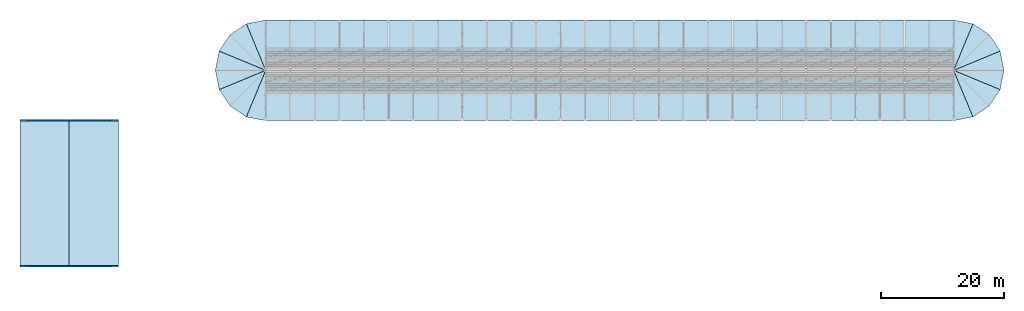
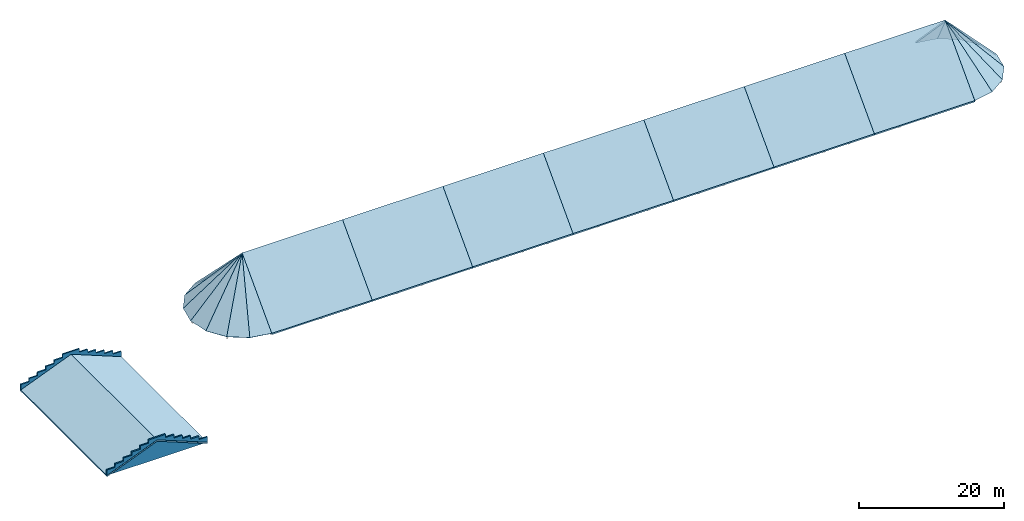
# One storey, part 18 of 18: 24 roofs, 2 walls.
"""IFC4 building model written with IfcOpenShell, lengths in metres."""

import ifcopenshell
import ifcopenshell.guid

model = None  # the IFC model being written
_history = None  # IfcOwnerHistory: only IFC2X3 demands one
_inside = {}  # id of a spatial element -> (the spatial element, [elements in it])
_under = {}  # id of a project, library or spatial element -> (it, [spatial elements below it])
_declared = {}  # id of a project -> (the project, [libraries it declares])
_typed = {}  # id of a type object -> (the type object, [elements of that type])
_made_of = {}  # id of a material, layer set ... -> (it, [elements and type objects made of it])


def new_model(schema):
    """Start an empty IFC model of exactly this schema.

    Asked for "IFC4X3", IfcOpenShell would pick the latest addendum, in which some entities
    have other attributes; the version numbers below select the first issue.
    IFC2X3 requires an IfcOwnerHistory on every rooted entity: one is made here for all.
    """
    global model, _history
    if schema == "IFC4X3":
        model = ifcopenshell.file(schema_version=(4, 3, 0, 0))
    else:
        model = ifcopenshell.file(schema=schema)
    _inside.clear()
    _under.clear()
    _declared.clear()
    _typed.clear()
    _made_of.clear()
    _history = None
    if model.schema == "IFC2X3":
        org = make("IfcOrganization", Name="unknown")
        user = make(
            "IfcPersonAndOrganization",
            ThePerson=make("IfcPerson", FamilyName="unknown"),
            TheOrganization=org,
        )
        app = make(
            "IfcApplication",
            ApplicationDeveloper=org,
            Version="unknown",
            ApplicationFullName="unknown",
            ApplicationIdentifier="unknown",
        )
        _history = make(
            "IfcOwnerHistory",
            OwningUser=user,
            OwningApplication=app,
            ChangeAction="ADDED",
            CreationDate=0,
        )
    return model


def make(cls, **values):
    """One entity of the class cls with the attributes given. An attribute that is None is left unset."""
    return model.create_entity(
        cls, **{name: value for name, value in values.items() if value is not None}
    )


def rooted(cls, **values):
    """An entity with a GlobalId (a new one), such as an element, a storey or a relation."""
    return make(cls, GlobalId=ifcopenshell.guid.new(), OwnerHistory=_history, **values)


def si_unit(unit_type, name, prefix=None):
    """IfcSIUnit, for example si_unit("LENGTHUNIT", "METRE", prefix="MILLI")."""
    return make("IfcSIUnit", UnitType=unit_type, Prefix=prefix, Name=name)


def assignment(units):
    """IfcUnitAssignment: the units of a project."""
    return None if units is None else make("IfcUnitAssignment", Units=units)


def point(xyz):
    """IfcCartesianPoint."""
    return None if xyz is None else make("IfcCartesianPoint", Coordinates=xyz)


def direction(xyz):
    """IfcDirection."""
    return None if xyz is None else make("IfcDirection", DirectionRatios=xyz)


def frame(location, z_axis=None, x_axis=None):
    """IfcAxis2Placement3D, a coordinate frame: its origin and axes. An axis left out is left unset."""
    return make(
        "IfcAxis2Placement3D",
        Location=point(location),
        Axis=direction(z_axis),
        RefDirection=direction(x_axis),
    )


def origin():
    """The frame at (0, 0, 0) with its axes left unset."""
    return frame((0.0, 0.0, 0.0))


def place(relative_to, where):
    """IfcLocalPlacement: puts the frame where relative to a parent placement (None: the world)."""
    return make(
        "IfcLocalPlacement", PlacementRelTo=relative_to, RelativePlacement=where
    )


def context(
    kind, dimensions, precision=None, world=None, true_north=None, identifier=None
):
    """IfcGeometricRepresentationContext, for example the 3D "Model" context."""
    return make(
        "IfcGeometricRepresentationContext",
        ContextIdentifier=identifier,
        ContextType=kind,
        CoordinateSpaceDimension=dimensions,
        Precision=precision,
        WorldCoordinateSystem=world,
        TrueNorth=true_north,
    )


def subcontext(parent, identifier, kind, view, scale=None):
    """IfcGeometricRepresentationSubContext, for example "Body" below "Model"."""
    return make(
        "IfcGeometricRepresentationSubContext",
        ContextIdentifier=identifier,
        ContextType=kind,
        ParentContext=parent,
        TargetScale=scale,
        TargetView=view,
    )


def project(units=None, contexts=None):
    """IfcProject with its units and contexts."""
    return rooted(
        "IfcProject",
        Name="project",
        RepresentationContexts=contexts,
        UnitsInContext=assignment(units),
    )


def spatial(cls, under=None, at=None, **own):
    """A site, building, storey or space (cls), placed at a placement, below another one or the project."""
    s = rooted(cls, ObjectPlacement=at, **own)
    if under is not None:
        _under.setdefault(under.id(), (under, []))[1].append(s)
    return s


def polyline(points):
    """IfcPolyline through the points."""
    return make("IfcPolyline", Points=[point(p) for p in points])


def outline(outer, holes=None, kind="AREA"):
    """IfcArbitraryClosedProfileDef: a profile drawn as a closed curve; with holes, ...WithVoids."""
    if holes is None:
        return make("IfcArbitraryClosedProfileDef", ProfileType=kind, OuterCurve=outer)
    return make(
        "IfcArbitraryProfileDefWithVoids",
        ProfileType=kind,
        OuterCurve=outer,
        InnerCurves=holes,
    )


def extrude(swept, where, along, depth):
    """IfcExtrudedAreaSolid: the profile swept, set in the frame where, extruded along a direction by depth."""
    return make(
        "IfcExtrudedAreaSolid",
        SweptArea=swept,
        Position=where,
        ExtrudedDirection=direction(along),
        Depth=depth,
    )


def shape(context_of_items, identifier, shape_type, items):
    """IfcShapeRepresentation: the items that make up one representation, for example the "Body"."""
    return make(
        "IfcShapeRepresentation",
        ContextOfItems=context_of_items,
        RepresentationIdentifier=identifier,
        RepresentationType=shape_type,
        Items=items,
    )


def material(Name=None, Category=None):
    """IfcMaterial."""
    return make("IfcMaterial", Name=Name, Category=Category)


def layer(
    of_material, thickness, ventilated=None, Name=None, Category=None, Priority=None
):
    """IfcMaterialLayer: one layer of a wall or slab, of a material (None: an air gap)."""
    return make(
        "IfcMaterialLayer",
        Material=of_material,
        LayerThickness=thickness,
        IsVentilated=ventilated,
        Name=Name,
        Category=Category,
        Priority=Priority,
    )


def layer_set(layers, Name=None):
    """IfcMaterialLayerSet."""
    return make("IfcMaterialLayerSet", MaterialLayers=layers, LayerSetName=Name)


def made_of(thing, what):
    """Note that an element or type object is made of a material, layer set ...; save() writes the relation."""
    if what is not None:
        _made_of.setdefault(what.id(), (what, []))[1].append(thing)
    return thing


def type_object(cls, material=None, **own):
    """A type object (cls), such as IfcWallType, which elements share."""
    return made_of(rooted(cls, **own), material)


def element(
    cls,
    number,
    at=None,
    inside=None,
    cuts=None,
    type_object=None,
    material=None,
    context=None,
    identifier="Body",
    shape_type=None,
    held_by="IfcProductDefinitionShape",
    body=None,
    shapes=None,
    **own,
):
    """One element of the class cls, such as IfcWall. Its Tag is "e" and its number.

    at: its placement. inside: the storey or other place that contains it. cuts: it is an
    opening in that element (IfcRelVoidsElement). A single representation is given by context,
    identifier, shape_type and body (its items); several are given by shapes. held_by: the class
    of the entity that holds the representations. save() writes the other relations.
    """
    e = rooted(cls, Tag="e%d" % number, ObjectPlacement=at, **own)
    if body is not None:
        shapes = [shape(context, identifier, shape_type, body)]
    if shapes is not None:
        e.Representation = make(held_by, Representations=shapes)
    if inside is not None:
        _inside.setdefault(inside.id(), (inside, []))[1].append(e)
    if cuts is not None:
        rooted(
            "IfcRelVoidsElement", RelatingBuildingElement=cuts, RelatedOpeningElement=e
        )
    if type_object is not None:
        _typed.setdefault(type_object.id(), (type_object, []))[1].append(e)
    return made_of(e, material)


def aggregate(whole, parts):
    """IfcRelAggregates: a whole, such as a stair, and the parts it consists of."""
    return rooted("IfcRelAggregates", RelatingObject=whole, RelatedObjects=parts)


def save(model, path):
    """Write the relations noted so far, then the file.

    IfcRelAggregates (storeys below a building ...), IfcRelContainedInSpatialStructure (elements
    in a storey), IfcRelDefinesByType, IfcRelAssociatesMaterial and IfcRelDeclares: one each for
    every whole, place, type object, material and project.
    """
    for whole, parts in _under.values():
        aggregate(whole, parts)
    for where, things in _inside.values():
        rooted(
            "IfcRelContainedInSpatialStructure",
            RelatedElements=things,
            RelatingStructure=where,
        )
    for kind, things in _typed.values():
        rooted("IfcRelDefinesByType", RelatedObjects=things, RelatingType=kind)
    for what, things in _made_of.values():
        rooted("IfcRelAssociatesMaterial", RelatedObjects=things, RelatingMaterial=what)
    for by, libraries in _declared.values():
        rooted("IfcRelDeclares", RelatingContext=by, RelatedDefinitions=libraries)
    model.write(path)


model = new_model("IFC4")

# Units and contexts
model_context = context("Model", 3, precision=1e-05, world=origin(), true_north=direction((0.0, 1.0)))
body_context = subcontext(model_context, "Body", "Model", "MODEL_VIEW")
ifc_project = project(units=[si_unit("LENGTHUNIT", "METRE"), si_unit("AREAUNIT", "SQUARE_METRE"), si_unit("VOLUMEUNIT", "CUBIC_METRE"), si_unit("PLANEANGLEUNIT", "RADIAN"), si_unit("MASSUNIT", "GRAM", prefix="KILO")], contexts=[model_context])

# Site, building, storey
site_placement = place(None, origin())
site = spatial("IfcSite", under=ifc_project, at=site_placement, CompositionType="ELEMENT")
building_placement = place(site_placement, origin())
building = spatial("IfcBuilding", under=site, at=building_placement, Name="Serraluz Foothill Cableway Terminal", CompositionType="ELEMENT")
storey_placement = place(building_placement, frame((0.0, 0.0, 24.300048828125)))
storey = spatial("IfcBuildingStorey", under=building, at=storey_placement, Name="RF", CompositionType="ELEMENT", Elevation=24.300048828125)

# Walls
ifc_material_1 = material(Name="Dark clinker clay masonry brick (f'm 14 MPa)", Category="masonry")
ifc_layer_1 = layer(ifc_material_1, 0.219970703125, Name="Dark clinker clay masonry brick (f'm 14 MPa)", Category="masonry")
ifc_layer_set_1 = layer_set([ifc_layer_1], Name="Dark clinker clay masonry brick (f'm 14 MPa)")
wall_type = type_object("IfcWallType", Name="TYP-WL-PAR-220", PredefinedType="PARAPET", material=ifc_layer_set_1)
for number, where, z_axis, x_axis, name in (
    (1, (16.0, 32.1201171875, 0.0), (0.0, 0.0, 1.0), (-1.0, 0.0, 0.0), "Stepped Brick Gable Crown WP-V5-GABLE-S"),
    (2, (0.0, 55.8798828125, 0.0), (0.0, 0.0, 1.0), (1.0, 0.0, 0.0), "Stepped Brick Gable Crown WP-V5-GABLE-N"),
):
    element("IfcWall", number, at=place(storey_placement, frame(where, z_axis=z_axis, x_axis=x_axis)), inside=storey, type_object=wall_type, Name=name, PredefinedType="PARAPET", context=body_context, shape_type="SweptSolid", body=[
        extrude(outline(polyline([(0.0, 0.0), (16.0, 0.0), (16.0, 0.89990234375), (14.686767578125, 0.89990234375), (14.666748046875, 1.449951171875), (13.353271484375, 1.449951171875), (13.333251953125, 2.0), (12.02001953125, 2.0), (12.0, 2.550048828125), (10.686767578125, 2.550048828125), (10.666748046875, 3.099853515625), (9.353271484375, 3.099853515625), (9.333251953125, 3.64990234375), (8.02001953125, 3.64990234375), (7.97998046875, 3.64990234375), (6.666748046875, 3.64990234375), (6.646728515625, 3.099853515625), (5.333251953125, 3.099853515625), (5.313232421875, 2.550048828125), (4.0, 2.550048828125), (3.97998046875, 2.0), (2.666748046875, 2.0), (2.646728515625, 1.449951171875), (1.333251953125, 1.449951171875), (1.313232421875, 0.89990234375), (0.0, 0.89990234375), (0.0, 0.0)])), frame((0.0, 0.10986328125, 0.0), z_axis=(0.0, -1.0, 0.0), x_axis=(1.0, 0.0, 0.0)), (0.0, 0.0, 1.0), 0.219970703125),
    ])

# Roofs
ifc_material_2 = material(Name="Standing-seam zinc-titanium roof assembly", Category="metal")
ifc_layer_2 = layer(ifc_material_2, 0.239990234375, Name="Standing-seam zinc-titanium roof assembly", Category="metal")
ifc_layer_set_2 = layer_set([ifc_layer_2], Name="Standing-seam zinc-titanium roof assembly")
roof_type_1 = type_object("IfcRoofType", Name="TYP-RF-GABLE-240", PredefinedType="GABLE_ROOF", material=ifc_layer_set_2)
for number, where, name in (
    (3, (40.0, 55.800048828125, -4.5), "Boarding Hall Pitched Gable Roof Bay 1"),
    (4, (56.0, 55.800048828125, -4.5), "Boarding Hall Pitched Gable Roof Bay 2"),
    (5, (72.0, 55.800048828125, -4.5), "Boarding Hall Pitched Gable Roof Bay 3"),
    (6, (88.0, 55.800048828125, -4.5), "Boarding Hall Pitched Gable Roof Bay 4"),
    (7, (104.0, 55.800048828125, -4.5), "Boarding Hall Pitched Gable Roof Bay 5"),
    (8, (120.0, 55.800048828125, -4.5), "Boarding Hall Pitched Gable Roof Bay 6"),
    (9, (136.0, 55.800048828125, -4.5), "Boarding Hall Pitched Gable Roof Bay 7"),
):
    element("IfcRoof", number, at=place(storey_placement, frame(where)), inside=storey, type_object=roof_type_1, Name=name, PredefinedType="GABLE_ROOF", context=body_context, shape_type="SweptSolid", body=[
        extrude(outline(polyline([(0.0, 0.0), (8.199951171875, 8.599853515625), (16.39990234375, 0.0), (16.39990234375, -0.239990234375), (8.199951171875, 8.35986328125), (0.0, -0.239990234375), (0.0, 0.0)])), frame((0.0, 0.0, 0.0), z_axis=(1.0, 0.0, 0.0), x_axis=(0.0, 1.0, 0.0)), (0.0, 0.0, 1.0), 16.0),
    ])
roof_1_placement = place(storey_placement, frame((0.0, 32.0, 0.0)))
element("IfcRoof", 10, at=roof_1_placement, inside=storey, type_object=roof_type_1, Name="Visitor Observatory Pitched Gable Roof", PredefinedType="GABLE_ROOF", context=body_context, shape_type="SweptSolid", body=[
    extrude(outline(polyline([(0.0, 0.0), (8.0, 3.199951171875), (16.0, 0.0), (16.0, -0.239990234375), (8.0, 2.9599609375), (0.0, -0.239990234375), (0.0, 0.0)])), frame((0.0, 24.0, 0.0), z_axis=(0.0, -1.0, 0.0), x_axis=(1.0, 0.0, 0.0)), (0.0, 0.0, 1.0), 24.0),
])
ifc_layer_3 = layer(ifc_material_2, 0.219970703125, Name="Standing-seam zinc-titanium roof assembly", Category="metal")
ifc_layer_set_3 = layer_set([ifc_layer_3], Name="Standing-seam zinc-titanium roof assembly")
roof_type_2 = type_object("IfcRoofType", Name="TYP-RF-HIP-220", PredefinedType="HIP_ROOF", material=ifc_layer_set_3)
roof_2_placement = place(storey_placement, frame((40.0, 55.800048828125, -4.5), z_axis=(-0.142511359565, -0.716346697103, 0.683035813076), x_axis=(-0.98077974131, 0.195118166851, 0.0)))
element("IfcRoof", 11, at=roof_2_placement, inside=storey, type_object=roof_type_2, Name="Boarding Hall Conical Apse Roof W-1", PredefinedType="HIP_ROOF", context=body_context, shape_type="SweptSolid", body=[
    extrude(outline(polyline([(0.0, 0.0), (3.1994333905515955, -5.551115123125783e-17), (1.5999594409206097, -11.774413339897276), (0.0, 0.0)])), origin(), (0.0, 0.0, -1.0), 0.219970703125),
])
roof_3_placement = place(storey_placement, frame((36.862060546875, 56.42431640625, -4.5), z_axis=(-0.405734509997, -0.607319911461, 0.683038822133), x_axis=(-0.831509886147, 0.555509954222, 0.0)))
element("IfcRoof", 12, at=roof_3_placement, inside=storey, type_object=roof_type_2, Name="Boarding Hall Conical Apse Roof W-2", PredefinedType="HIP_ROOF", context=body_context, shape_type="SweptSolid", body=[
    extrude(outline(polyline([(0.0, 0.0), (3.1994813711134054, 0.0), (1.5991399689560517, -11.774458704075798), (0.0, 0.0)])), origin(), (0.0, 0.0, -1.0), 0.219970703125),
])
roof_4_placement = place(storey_placement, frame((34.20166015625, 58.20166015625, -4.5), z_axis=(-0.607319911461, -0.405734509997, 0.683038822133), x_axis=(-0.555509954222, 0.831509886147, 0.0)))
element("IfcRoof", 13, at=roof_4_placement, inside=storey, type_object=roof_type_2, Name="Boarding Hall Conical Apse Roof W-3", PredefinedType="HIP_ROOF", context=body_context, shape_type="SweptSolid", body=[
    extrude(outline(polyline([(0.0, 0.0), (3.1994813711134054, 0.0), (1.6003414021573537, -11.774458704075798), (0.0, 0.0)])), origin(), (0.0, 0.0, -1.0), 0.219970703125),
])
roof_5_placement = place(storey_placement, frame((32.42431640625, 60.862060546875, -4.5), z_axis=(-0.716346697103, -0.142511359565, 0.683035813076), x_axis=(-0.195118166851, 0.98077974131, 0.0)))
element("IfcRoof", 14, at=roof_5_placement, inside=storey, type_object=roof_type_2, Name="Boarding Hall Conical Apse Roof W-4", PredefinedType="HIP_ROOF", context=body_context, shape_type="SweptSolid", body=[
    extrude(outline(polyline([(0.0, 0.0), (3.1994333905515955, 5.551115123125783e-17), (1.5994739496309858, -11.774413339897276), (0.0, 0.0)])), origin(), (0.0, 0.0, -1.0), 0.219970703125),
])
roof_6_placement = place(storey_placement, frame((31.800048828125, 64.0, -4.5), z_axis=(-0.716346697103, 0.142511359565, 0.683035813076), x_axis=(0.195118166851, 0.98077974131, 0.0)))
element("IfcRoof", 15, at=roof_6_placement, inside=storey, type_object=roof_type_2, Name="Boarding Hall Conical Apse Roof W-5", PredefinedType="HIP_ROOF", context=body_context, shape_type="SweptSolid", body=[
    extrude(outline(polyline([(0.0, 0.0), (3.1994333905515955, -5.551115123125783e-17), (1.5999594409206097, -11.774413339897276), (0.0, 0.0)])), origin(), (0.0, 0.0, -1.0), 0.219970703125),
])
roof_7_placement = place(storey_placement, frame((32.42431640625, 67.137939453125, -4.5), z_axis=(-0.607319911461, 0.405734509997, 0.683038822133), x_axis=(0.555509954222, 0.831509886147, 0.0)))
element("IfcRoof", 16, at=roof_7_placement, inside=storey, type_object=roof_type_2, Name="Boarding Hall Conical Apse Roof W-6", PredefinedType="HIP_ROOF", context=body_context, shape_type="SweptSolid", body=[
    extrude(outline(polyline([(0.0, 0.0), (3.1994813711134054, 0.0), (1.5991399689560517, -11.774458704075798), (0.0, 0.0)])), origin(), (0.0, 0.0, -1.0), 0.219970703125),
])
roof_8_placement = place(storey_placement, frame((34.20166015625, 69.79833984375, -4.5), z_axis=(-0.405734509997, 0.607319911461, 0.683038822133), x_axis=(0.831509886147, 0.555509954222, 0.0)))
element("IfcRoof", 17, at=roof_8_placement, inside=storey, type_object=roof_type_2, Name="Boarding Hall Conical Apse Roof W-7", PredefinedType="HIP_ROOF", context=body_context, shape_type="SweptSolid", body=[
    extrude(outline(polyline([(0.0, 0.0), (3.1994813711134054, 0.0), (1.6003414021573537, -11.774458704075798), (0.0, 0.0)])), origin(), (0.0, 0.0, -1.0), 0.219970703125),
])
roof_9_placement = place(storey_placement, frame((36.862060546875, 71.57568359375, -4.5), z_axis=(-0.142511359565, 0.716346697103, 0.683035813076), x_axis=(0.98077974131, 0.195118166851, 0.0)))
element("IfcRoof", 18, at=roof_9_placement, inside=storey, type_object=roof_type_2, Name="Boarding Hall Conical Apse Roof W-8", PredefinedType="HIP_ROOF", context=body_context, shape_type="SweptSolid", body=[
    extrude(outline(polyline([(0.0, 0.0), (3.1994333905515955, 5.551115123125783e-17), (1.5994739496309858, -11.774413339897276), (0.0, 0.0)])), origin(), (0.0, 0.0, -1.0), 0.219970703125),
])
roof_10_placement = place(storey_placement, frame((152.0, 72.199951171875, -4.5), z_axis=(0.142511359565, 0.716346697103, 0.683035813076), x_axis=(0.98077974131, -0.195118166851, 0.0)))
element("IfcRoof", 19, at=roof_10_placement, inside=storey, type_object=roof_type_2, Name="Boarding Hall Conical Apse Roof E-1", PredefinedType="HIP_ROOF", context=body_context, shape_type="SweptSolid", body=[
    extrude(outline(polyline([(0.0, 0.0), (3.1994333905515955, -5.551115123125783e-17), (1.5999594409206097, -11.774413339897276), (0.0, 0.0)])), origin(), (0.0, 0.0, -1.0), 0.219970703125),
])
roof_11_placement = place(storey_placement, frame((155.137939453125, 71.57568359375, -4.5), z_axis=(0.405734509997, 0.607319911461, 0.683038822133), x_axis=(0.831509886147, -0.555509954222, 0.0)))
element("IfcRoof", 20, at=roof_11_placement, inside=storey, type_object=roof_type_2, Name="Boarding Hall Conical Apse Roof E-2", PredefinedType="HIP_ROOF", context=body_context, shape_type="SweptSolid", body=[
    extrude(outline(polyline([(0.0, 0.0), (3.1994813711134054, 0.0), (1.5991399689560517, -11.774458704075798), (0.0, 0.0)])), origin(), (0.0, 0.0, -1.0), 0.219970703125),
])
roof_12_placement = place(storey_placement, frame((157.79833984375, 69.79833984375, -4.5), z_axis=(0.607319911461, 0.405734509997, 0.683038822133), x_axis=(0.555509954222, -0.831509886147, 0.0)))
element("IfcRoof", 21, at=roof_12_placement, inside=storey, type_object=roof_type_2, Name="Boarding Hall Conical Apse Roof E-3", PredefinedType="HIP_ROOF", context=body_context, shape_type="SweptSolid", body=[
    extrude(outline(polyline([(0.0, 0.0), (3.1994813711134054, 0.0), (1.6003414021573537, -11.774458704075798), (0.0, 0.0)])), origin(), (0.0, 0.0, -1.0), 0.219970703125),
])
roof_13_placement = place(storey_placement, frame((159.57568359375, 67.137939453125, -4.5), z_axis=(0.716346697103, 0.142511359565, 0.683035813076), x_axis=(0.195118166851, -0.98077974131, 0.0)))
element("IfcRoof", 22, at=roof_13_placement, inside=storey, type_object=roof_type_2, Name="Boarding Hall Conical Apse Roof E-4", PredefinedType="HIP_ROOF", context=body_context, shape_type="SweptSolid", body=[
    extrude(outline(polyline([(0.0, 0.0), (3.1994333905515955, 5.551115123125783e-17), (1.5994739496309858, -11.774413339897276), (0.0, 0.0)])), origin(), (0.0, 0.0, -1.0), 0.219970703125),
])
roof_14_placement = place(storey_placement, frame((160.199951171875, 64.0, -4.5), z_axis=(0.716346697103, -0.142511359565, 0.683035813076), x_axis=(-0.195118166851, -0.98077974131, 0.0)))
element("IfcRoof", 23, at=roof_14_placement, inside=storey, type_object=roof_type_2, Name="Boarding Hall Conical Apse Roof E-5", PredefinedType="HIP_ROOF", context=body_context, shape_type="SweptSolid", body=[
    extrude(outline(polyline([(0.0, 0.0), (3.1994333905515955, -5.551115123125783e-17), (1.5999594409206097, -11.774413339897276), (0.0, 0.0)])), origin(), (0.0, 0.0, -1.0), 0.219970703125),
])
roof_15_placement = place(storey_placement, frame((159.57568359375, 60.862060546875, -4.5), z_axis=(0.607319911461, -0.405734509997, 0.683038822133), x_axis=(-0.555509954222, -0.831509886147, 0.0)))
element("IfcRoof", 24, at=roof_15_placement, inside=storey, type_object=roof_type_2, Name="Boarding Hall Conical Apse Roof E-6", PredefinedType="HIP_ROOF", context=body_context, shape_type="SweptSolid", body=[
    extrude(outline(polyline([(0.0, 0.0), (3.1994813711134054, 0.0), (1.5991399689560517, -11.774458704075798), (0.0, 0.0)])), origin(), (0.0, 0.0, -1.0), 0.219970703125),
])
roof_16_placement = place(storey_placement, frame((157.79833984375, 58.20166015625, -4.5), z_axis=(0.405734509997, -0.607319911461, 0.683038822133), x_axis=(-0.831509886147, -0.555509954222, 0.0)))
element("IfcRoof", 25, at=roof_16_placement, inside=storey, type_object=roof_type_2, Name="Boarding Hall Conical Apse Roof E-7", PredefinedType="HIP_ROOF", context=body_context, shape_type="SweptSolid", body=[
    extrude(outline(polyline([(0.0, 0.0), (3.1994813711134054, 0.0), (1.6003414021573537, -11.774458704075798), (0.0, 0.0)])), origin(), (0.0, 0.0, -1.0), 0.219970703125),
])
roof_17_placement = place(storey_placement, frame((155.137939453125, 56.42431640625, -4.5), z_axis=(0.142511359565, -0.716346697103, 0.683035813076), x_axis=(-0.98077974131, -0.195118166851, 0.0)))
element("IfcRoof", 26, at=roof_17_placement, inside=storey, type_object=roof_type_2, Name="Boarding Hall Conical Apse Roof E-8", PredefinedType="HIP_ROOF", context=body_context, shape_type="SweptSolid", body=[
    extrude(outline(polyline([(0.0, 0.0), (3.1994333905515955, 5.551115123125783e-17), (1.5994739496309858, -11.774413339897276), (0.0, 0.0)])), origin(), (0.0, 0.0, -1.0), 0.219970703125),
])

save(model, "model.ifc")
